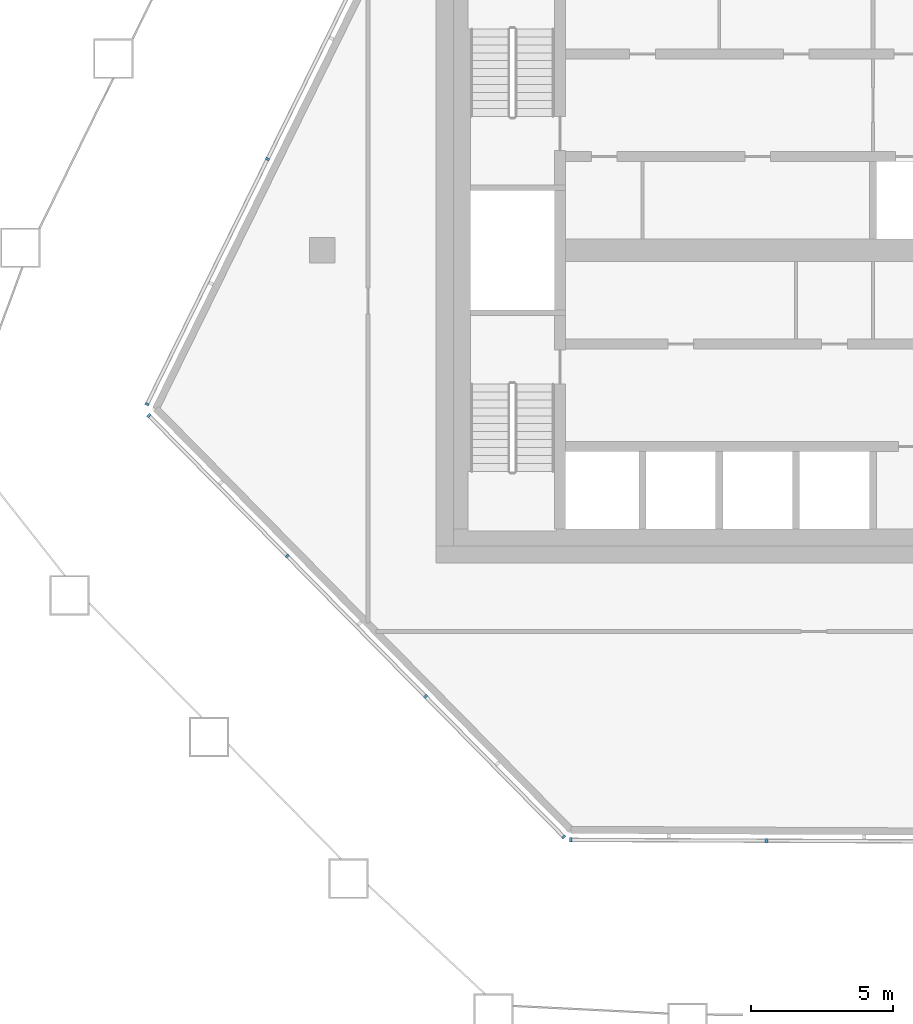
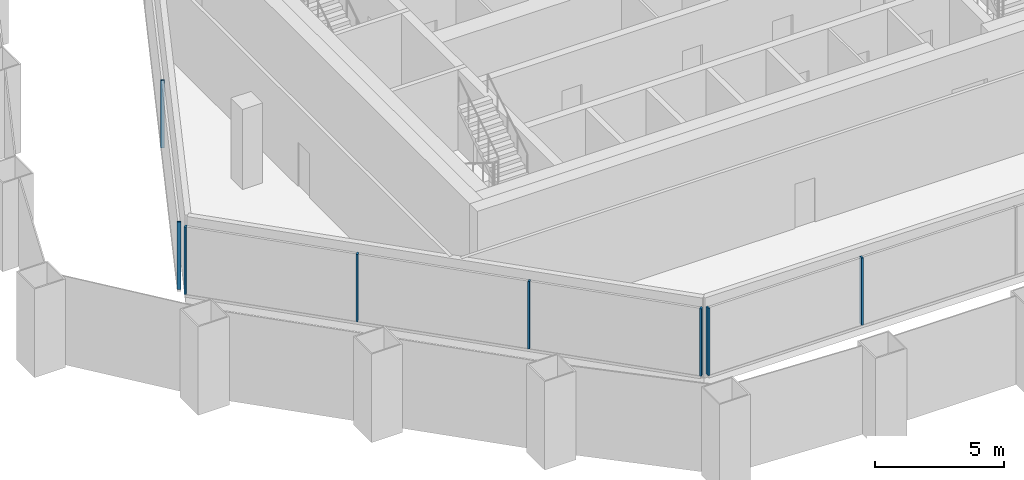
# One storey, part 2 of 18: 8 members, 3 elements without a shape of their own.
"""IFC4 building model written with IfcOpenShell, lengths in metres."""

import ifcopenshell
import ifcopenshell.guid

model = None  # the IFC model being written
_history = None  # IfcOwnerHistory: only IFC2X3 demands one
_inside = {}  # id of a spatial element -> (the spatial element, [elements in it])
_under = {}  # id of a project, library or spatial element -> (it, [spatial elements below it])
_declared = {}  # id of a project -> (the project, [libraries it declares])
_typed = {}  # id of a type object -> (the type object, [elements of that type])
_made_of = {}  # id of a material, layer set ... -> (it, [elements and type objects made of it])


def new_model(schema):
    """Start an empty IFC model of exactly this schema.

    Asked for "IFC4X3", IfcOpenShell would pick the latest addendum, in which some entities
    have other attributes; the version numbers below select the first issue.
    IFC2X3 requires an IfcOwnerHistory on every rooted entity: one is made here for all.
    """
    global model, _history
    if schema == "IFC4X3":
        model = ifcopenshell.file(schema_version=(4, 3, 0, 0))
    else:
        model = ifcopenshell.file(schema=schema)
    _inside.clear()
    _under.clear()
    _declared.clear()
    _typed.clear()
    _made_of.clear()
    _history = None
    if model.schema == "IFC2X3":
        org = make("IfcOrganization", Name="unknown")
        user = make(
            "IfcPersonAndOrganization",
            ThePerson=make("IfcPerson", FamilyName="unknown"),
            TheOrganization=org,
        )
        app = make(
            "IfcApplication",
            ApplicationDeveloper=org,
            Version="unknown",
            ApplicationFullName="unknown",
            ApplicationIdentifier="unknown",
        )
        _history = make(
            "IfcOwnerHistory",
            OwningUser=user,
            OwningApplication=app,
            ChangeAction="ADDED",
            CreationDate=0,
        )
    return model


def make(cls, **values):
    """One entity of the class cls with the attributes given. An attribute that is None is left unset."""
    return model.create_entity(
        cls, **{name: value for name, value in values.items() if value is not None}
    )


def rooted(cls, **values):
    """An entity with a GlobalId (a new one), such as an element, a storey or a relation."""
    return make(cls, GlobalId=ifcopenshell.guid.new(), OwnerHistory=_history, **values)


def si_unit(unit_type, name, prefix=None):
    """IfcSIUnit, for example si_unit("LENGTHUNIT", "METRE", prefix="MILLI")."""
    return make("IfcSIUnit", UnitType=unit_type, Prefix=prefix, Name=name)


def assignment(units):
    """IfcUnitAssignment: the units of a project."""
    return None if units is None else make("IfcUnitAssignment", Units=units)


def point(xyz):
    """IfcCartesianPoint."""
    return None if xyz is None else make("IfcCartesianPoint", Coordinates=xyz)


def direction(xyz):
    """IfcDirection."""
    return None if xyz is None else make("IfcDirection", DirectionRatios=xyz)


def frame(location, z_axis=None, x_axis=None):
    """IfcAxis2Placement3D, a coordinate frame: its origin and axes. An axis left out is left unset."""
    return make(
        "IfcAxis2Placement3D",
        Location=point(location),
        Axis=direction(z_axis),
        RefDirection=direction(x_axis),
    )


def frame_2d(location, x_axis=None):
    """IfcAxis2Placement2D, a coordinate frame in the plane: its origin and x axis."""
    return make(
        "IfcAxis2Placement2D", Location=point(location), RefDirection=direction(x_axis)
    )


def origin():
    """The frame at (0, 0, 0) with its axes left unset."""
    return frame((0.0, 0.0, 0.0))


def origin_2d():
    """The frame at (0, 0) in the plane with its x axis left unset."""
    return frame_2d((0.0, 0.0))


def place(relative_to, where):
    """IfcLocalPlacement: puts the frame where relative to a parent placement (None: the world)."""
    return make(
        "IfcLocalPlacement", PlacementRelTo=relative_to, RelativePlacement=where
    )


def context(
    kind, dimensions, precision=None, world=None, true_north=None, identifier=None
):
    """IfcGeometricRepresentationContext, for example the 3D "Model" context."""
    return make(
        "IfcGeometricRepresentationContext",
        ContextIdentifier=identifier,
        ContextType=kind,
        CoordinateSpaceDimension=dimensions,
        Precision=precision,
        WorldCoordinateSystem=world,
        TrueNorth=true_north,
    )


def subcontext(parent, identifier, kind, view, scale=None):
    """IfcGeometricRepresentationSubContext, for example "Body" below "Model"."""
    return make(
        "IfcGeometricRepresentationSubContext",
        ContextIdentifier=identifier,
        ContextType=kind,
        ParentContext=parent,
        TargetScale=scale,
        TargetView=view,
    )


def project(units=None, contexts=None):
    """IfcProject with its units and contexts."""
    return rooted(
        "IfcProject",
        Name="project",
        RepresentationContexts=contexts,
        UnitsInContext=assignment(units),
    )


def spatial(cls, under=None, at=None, **own):
    """A site, building, storey or space (cls), placed at a placement, below another one or the project."""
    s = rooted(cls, ObjectPlacement=at, **own)
    if under is not None:
        _under.setdefault(under.id(), (under, []))[1].append(s)
    return s


def profile(cls, at=None, kind="AREA", **sizes):
    """A parametric profile (cls). Its sizes go by their IFC names, for example OverallWidth=200.0."""
    return make(cls, ProfileType=kind, Position=at, **sizes)


def rectangle(**sizes):
    """IfcRectangleProfileDef."""
    return profile("IfcRectangleProfileDef", **sizes)


def extrude(swept, where, along, depth):
    """IfcExtrudedAreaSolid: the profile swept, set in the frame where, extruded along a direction by depth."""
    return make(
        "IfcExtrudedAreaSolid",
        SweptArea=swept,
        Position=where,
        ExtrudedDirection=direction(along),
        Depth=depth,
    )


def shape(context_of_items, identifier, shape_type, items):
    """IfcShapeRepresentation: the items that make up one representation, for example the "Body"."""
    return make(
        "IfcShapeRepresentation",
        ContextOfItems=context_of_items,
        RepresentationIdentifier=identifier,
        RepresentationType=shape_type,
        Items=items,
    )


def material(Name=None, Category=None):
    """IfcMaterial."""
    return make("IfcMaterial", Name=Name, Category=Category)


def layer(
    of_material, thickness, ventilated=None, Name=None, Category=None, Priority=None
):
    """IfcMaterialLayer: one layer of a wall or slab, of a material (None: an air gap)."""
    return make(
        "IfcMaterialLayer",
        Material=of_material,
        LayerThickness=thickness,
        IsVentilated=ventilated,
        Name=Name,
        Category=Category,
        Priority=Priority,
    )


def layer_set(layers, Name=None):
    """IfcMaterialLayerSet."""
    return make("IfcMaterialLayerSet", MaterialLayers=layers, LayerSetName=Name)


def material_profile(
    of_material, cross_section, Name=None, Category=None, Priority=None
):
    """IfcMaterialProfile: a cross section and its material."""
    return make(
        "IfcMaterialProfile",
        Name=Name,
        Material=of_material,
        Profile=cross_section,
        Priority=Priority,
        Category=Category,
    )


def profile_set(profiles, Name=None, composite=None):
    """IfcMaterialProfileSet."""
    return make(
        "IfcMaterialProfileSet",
        Name=Name,
        MaterialProfiles=profiles,
        CompositeProfile=composite,
    )


def made_of(thing, what):
    """Note that an element or type object is made of a material, layer set ...; save() writes the relation."""
    if what is not None:
        _made_of.setdefault(what.id(), (what, []))[1].append(thing)
    return thing


def type_object(cls, material=None, **own):
    """A type object (cls), such as IfcWallType, which elements share."""
    return made_of(rooted(cls, **own), material)


def element(
    cls,
    number,
    at=None,
    inside=None,
    cuts=None,
    type_object=None,
    material=None,
    context=None,
    identifier="Body",
    shape_type=None,
    held_by="IfcProductDefinitionShape",
    body=None,
    shapes=None,
    **own,
):
    """One element of the class cls, such as IfcWall. Its Tag is "e" and its number.

    at: its placement. inside: the storey or other place that contains it. cuts: it is an
    opening in that element (IfcRelVoidsElement). A single representation is given by context,
    identifier, shape_type and body (its items); several are given by shapes. held_by: the class
    of the entity that holds the representations. save() writes the other relations.
    """
    e = rooted(cls, Tag="e%d" % number, ObjectPlacement=at, **own)
    if body is not None:
        shapes = [shape(context, identifier, shape_type, body)]
    if shapes is not None:
        e.Representation = make(held_by, Representations=shapes)
    if inside is not None:
        _inside.setdefault(inside.id(), (inside, []))[1].append(e)
    if cuts is not None:
        rooted(
            "IfcRelVoidsElement", RelatingBuildingElement=cuts, RelatedOpeningElement=e
        )
    if type_object is not None:
        _typed.setdefault(type_object.id(), (type_object, []))[1].append(e)
    return made_of(e, material)


def aggregate(whole, parts):
    """IfcRelAggregates: a whole, such as a stair, and the parts it consists of."""
    return rooted("IfcRelAggregates", RelatingObject=whole, RelatedObjects=parts)


def save(model, path):
    """Write the relations noted so far, then the file.

    IfcRelAggregates (storeys below a building ...), IfcRelContainedInSpatialStructure (elements
    in a storey), IfcRelDefinesByType, IfcRelAssociatesMaterial and IfcRelDeclares: one each for
    every whole, place, type object, material and project.
    """
    for whole, parts in _under.values():
        aggregate(whole, parts)
    for where, things in _inside.values():
        rooted(
            "IfcRelContainedInSpatialStructure",
            RelatedElements=things,
            RelatingStructure=where,
        )
    for kind, things in _typed.values():
        rooted("IfcRelDefinesByType", RelatedObjects=things, RelatingType=kind)
    for what, things in _made_of.values():
        rooted("IfcRelAssociatesMaterial", RelatedObjects=things, RelatingMaterial=what)
    for by, libraries in _declared.values():
        rooted("IfcRelDeclares", RelatingContext=by, RelatedDefinitions=libraries)
    model.write(path)


model = new_model("IFC4")

# Units and contexts
model_context = context("Model", 3, precision=1e-05, world=origin(), true_north=direction((0.0, 1.0)))
body_context = subcontext(model_context, "Body", "Model", "MODEL_VIEW")
ifc_project = project(units=[si_unit("LENGTHUNIT", "METRE"), si_unit("AREAUNIT", "SQUARE_METRE"), si_unit("VOLUMEUNIT", "CUBIC_METRE"), si_unit("PLANEANGLEUNIT", "RADIAN"), si_unit("MASSUNIT", "GRAM", prefix="KILO")], contexts=[model_context])

# Site, building, storey
site_placement = place(None, origin())
site = spatial("IfcSite", under=ifc_project, at=site_placement, CompositionType="ELEMENT")
building_placement = place(site_placement, origin())
building = spatial("IfcBuilding", under=site, at=building_placement, Name="Dongbaek Canopy Tower", CompositionType="ELEMENT")
storey_placement = place(building_placement, frame((0.0, 0.0, 359.0)))
storey = spatial("IfcBuildingStorey", under=building, at=storey_placement, Name="L77", CompositionType="ELEMENT", Elevation=359.0)

# Curtain wall, members
ifc_material_1 = material(Name="Aluminium 6063-T6 pale anodised", Category="aluminium")
ifc_layer = layer(ifc_material_1, 0.14990234375)
ifc_layer_set = layer_set([ifc_layer], Name="CW-7 louvre curtain wall")
curtain_wall_type = type_object("IfcCurtainWallType", Name="CW-7 louvre curtain wall", PredefinedType="NOTDEFINED", material=ifc_layer_set)
curtain_wall_1_placement = place(storey_placement, origin())
curtain_wall_1 = element("IfcCurtainWall", 1, at=curtain_wall_1_placement, inside=storey, type_object=curtain_wall_type, Name="CW-7 louvre wall L77 F0", PredefinedType="NOTDEFINED")
ifc_material_2 = material(Name="Aluminium 6063-T6 pale anodised", Category="aluminium")
ifc_material_profile = material_profile(ifc_material_2, rectangle(XDim=0.14990234375, YDim=0.080078125, at=origin_2d()), Name="CW-7 mullion 80 x 150")
ifc_profile_set = profile_set([ifc_material_profile], Name="Aluminium 6063-T6 pale anodised")
member_type = type_object("IfcMemberType", Name="CW-7 mullion 80 x 150", PredefinedType="MULLION", material=ifc_profile_set)
member_1_placement = place(storey_placement, frame((-9.267333984375, -20.7265625, 0.300048828125), z_axis=(0.0, 0.0, 1.0), x_axis=(-0.004466136555, -0.999990026762, 0.0)))
member_1 = element("IfcMember", 2, at=member_1_placement, type_object=member_type, Name="CW-7 mullion L77 F0.1.1", PredefinedType="MULLION", context=body_context, shape_type="SweptSolid", body=[
    extrude(rectangle(XDim=0.14990234375, YDim=0.080078125, at=origin_2d()), origin(), (0.0, 0.0, 1.0), 3.199951171875),
])
member_2_placement = place(storey_placement, frame((-2.3896484375, -20.75732421875, 0.300048828125), z_axis=(0.0, 0.0, 1.0), x_axis=(-0.004466136555, -0.999990026762, 0.0)))
member_2 = element("IfcMember", 3, at=member_2_placement, type_object=member_type, Name="CW-7 mullion L77 F0.1.2", PredefinedType="MULLION", context=body_context, shape_type="SweptSolid", body=[
    extrude(rectangle(XDim=0.14990234375, YDim=0.080078125, at=origin_2d()), origin(), (0.0, 0.0, 1.0), 3.199951171875),
])
aggregate(curtain_wall_1, [member_1, member_2])

curtain_wall_2_placement = place(storey_placement, origin())
curtain_wall_2 = element("IfcCurtainWall", 4, at=curtain_wall_2_placement, inside=storey, type_object=curtain_wall_type, Name="CW-7 louvre wall L77 F4", PredefinedType="NOTDEFINED")
member_3_placement = place(storey_placement, frame((-19.927734375, 3.202392578125, 0.300048828125), z_axis=(0.0, 0.0, 1.0), x_axis=(-0.897339163834, 0.441341619439, 0.0)))
member_3 = element("IfcMember", 5, at=member_3_placement, type_object=member_type, Name="CW-7 mullion L77 F4.1.3", PredefinedType="MULLION", context=body_context, shape_type="SweptSolid", body=[
    extrude(rectangle(XDim=0.14990234375, YDim=0.080078125, at=origin_2d()), origin(), (0.0, 0.0, 1.0), 3.199951171875),
])
member_4_placement = place(storey_placement, frame((-24.165283203125, -5.41357421875, 0.300048828125), z_axis=(0.0, 0.0, 1.0), x_axis=(-0.897339163834, 0.441341619439, 0.0)))
member_4 = element("IfcMember", 6, at=member_4_placement, type_object=member_type, Name="CW-7 mullion L77 F4.1.4", PredefinedType="MULLION", context=body_context, shape_type="SweptSolid", body=[
    extrude(rectangle(XDim=0.14990234375, YDim=0.080078125, at=origin_2d()), origin(), (0.0, 0.0, 1.0), 3.199951171875),
])
aggregate(curtain_wall_2, [member_3, member_4])

curtain_wall_3_placement = place(storey_placement, origin())
curtain_wall_3 = element("IfcCurtainWall", 7, at=curtain_wall_3_placement, inside=storey, type_object=curtain_wall_type, Name="CW-7 louvre wall L77 F5", PredefinedType="NOTDEFINED")
member_5_placement = place(storey_placement, frame((-24.1005859375, -5.813720703125, 0.300048828125), z_axis=(0.0, 0.0, 1.0), x_axis=(-0.712454538603, -0.70171826998, 0.0)))
member_5 = element("IfcMember", 8, at=member_5_placement, type_object=member_type, Name="CW-7 mullion L77 F5.1.1", PredefinedType="MULLION", context=body_context, shape_type="SweptSolid", body=[
    extrude(rectangle(XDim=0.14990234375, YDim=0.080078125, at=origin_2d()), origin(), (0.0, 0.0, 1.0), 3.199951171875),
])
member_6_placement = place(storey_placement, frame((-19.23876953125, -10.749755859375, 0.300048828125), z_axis=(0.0, 0.0, 1.0), x_axis=(-0.712454538603, -0.70171826998, 0.0)))
member_6 = element("IfcMember", 9, at=member_6_placement, type_object=member_type, Name="CW-7 mullion L77 F5.1.2", PredefinedType="MULLION", context=body_context, shape_type="SweptSolid", body=[
    extrude(rectangle(XDim=0.14990234375, YDim=0.080078125, at=origin_2d()), origin(), (0.0, 0.0, 1.0), 3.199951171875),
])
member_7_placement = place(storey_placement, frame((-14.376953125, -15.68603515625, 0.300048828125), z_axis=(0.0, 0.0, 1.0), x_axis=(-0.712454538603, -0.70171826998, 0.0)))
member_7 = element("IfcMember", 10, at=member_7_placement, type_object=member_type, Name="CW-7 mullion L77 F5.1.3", PredefinedType="MULLION", context=body_context, shape_type="SweptSolid", body=[
    extrude(rectangle(XDim=0.14990234375, YDim=0.080078125, at=origin_2d()), origin(), (0.0, 0.0, 1.0), 3.199951171875),
])
member_8_placement = place(storey_placement, frame((-9.51513671875, -20.622314453125, 0.300048828125), z_axis=(0.0, 0.0, 1.0), x_axis=(-0.712454538603, -0.70171826998, 0.0)))
member_8 = element("IfcMember", 11, at=member_8_placement, type_object=member_type, Name="CW-7 mullion L77 F5.1.4", PredefinedType="MULLION", context=body_context, shape_type="SweptSolid", body=[
    extrude(rectangle(XDim=0.14990234375, YDim=0.080078125, at=origin_2d()), origin(), (0.0, 0.0, 1.0), 3.199951171875),
])
aggregate(curtain_wall_3, [member_5, member_6, member_7, member_8])

save(model, "model.ifc")
